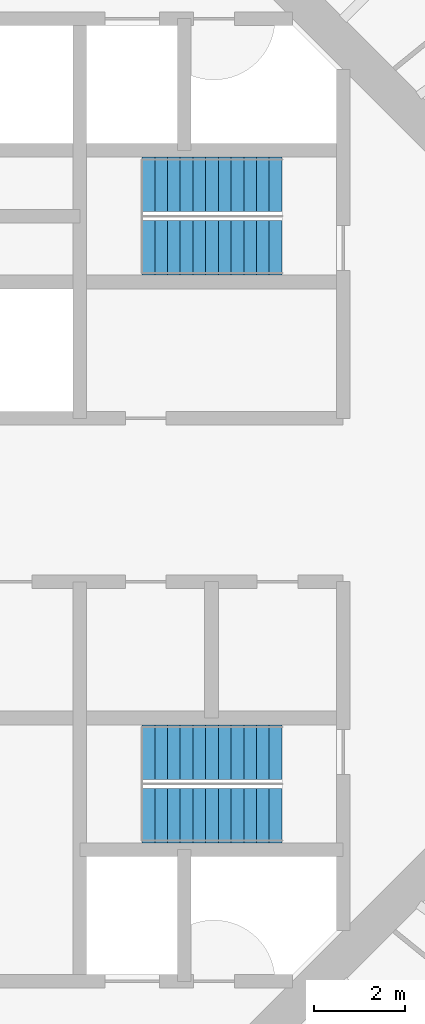
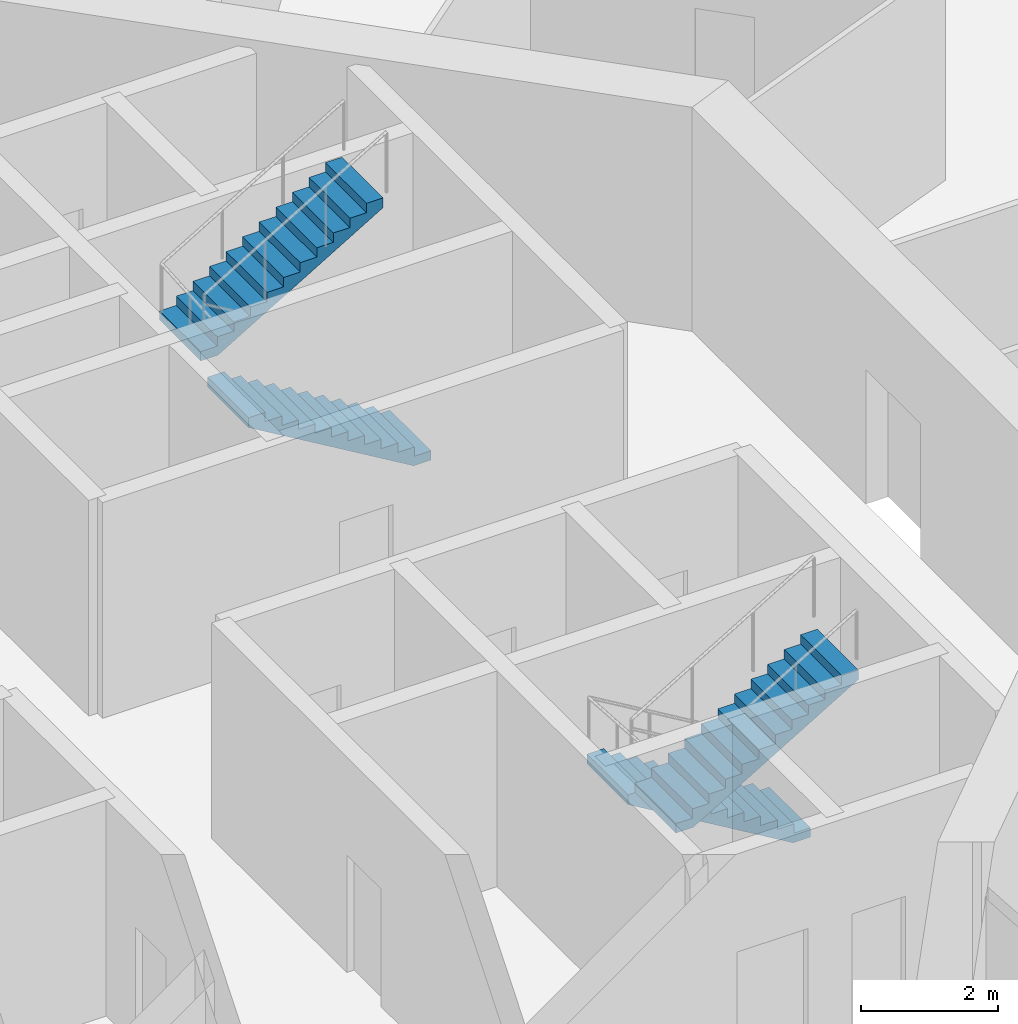
# One storey, part 6 of 13: 4 stair flights, 2 elements without a shape of their own.
"""IFC4 building model written with IfcOpenShell, lengths in metres."""

from ifc_helpers import new_model, si_unit, direction, frame, origin, place, context, subcontext, project, spatial, polyline, outline, extrude, material, type_object, element, aggregate, save


model = new_model("IFC4")

# Units and contexts
model_context = context("Model", 3, precision=1e-05, world=origin(), true_north=direction((0.0, 1.0)))
body_context = subcontext(model_context, "Body", "Model", "MODEL_VIEW")
ifc_project = project(units=[si_unit("LENGTHUNIT", "METRE"), si_unit("AREAUNIT", "SQUARE_METRE"), si_unit("VOLUMEUNIT", "CUBIC_METRE"), si_unit("PLANEANGLEUNIT", "RADIAN"), si_unit("MASSUNIT", "GRAM", prefix="KILO")], contexts=[model_context])

# Site, building, storey
site_placement = place(None, origin())
site = spatial("IfcSite", under=ifc_project, at=site_placement, CompositionType="ELEMENT")
building_placement = place(site_placement, origin())
building = spatial("IfcBuilding", under=site, at=building_placement, Name="Entoto Ring Tower", CompositionType="ELEMENT")
storey_placement = place(building_placement, frame((0.0, 0.0, 274.0)))
storey = spatial("IfcBuildingStorey", under=building, at=storey_placement, Name="L62", CompositionType="ELEMENT", Elevation=274.0)

# Stair, stair flights
ifc_material_1 = material(Name="Concrete C40/50", Category="concrete")
stair_type = type_object("IfcStairType", Name="Exit stair 1200 mm dog-leg reinforced concrete", PredefinedType="HALF_TURN_STAIR", material=ifc_material_1)
stair_1_placement = place(storey_placement, origin())
stair_1 = element("IfcStair", 1, at=stair_1_placement, inside=storey, type_object=stair_type, Name="Exit stair 1", PredefinedType="HALF_TURN_STAIR")
ifc_material_2 = material(Name="Concrete C40/50", Category="concrete")
stair_flight_type = type_object("IfcStairFlightType", Name="Stair flight 1200 mm reinforced concrete", PredefinedType="STRAIGHT", material=ifc_material_2)
stair_flight_1_placement = place(storey_placement, frame((99.25, 85.550048828125, 0.0), z_axis=(0.0, 0.0, 1.0), x_axis=(-1.0, 0.0, 0.0)))
stair_flight_1 = element("IfcStairFlight", 2, at=stair_flight_1_placement, type_object=stair_flight_type, Name="ST1 flight 1", NumberOfRisers=12, NumberOfTreads=11, PredefinedType="STRAIGHT", RiserHeight=0.166666667, TreadLength=0.28, context=body_context, shape_type="SweptSolid", body=[
    extrude(outline(polyline([(0.0, 0.0), (0.0, 0.166748046875), (0.280029296875, 0.166748046875), (0.280029296875, 0.333251953125), (0.56005859375, 0.333251953125), (0.56005859375, 0.5), (0.840087890625, 0.5), (0.840087890625, 0.666748046875), (1.1201171875, 0.666748046875), (1.1201171875, 0.833251953125), (1.39990234375, 0.833251953125), (1.39990234375, 1.0), (1.679931640625, 1.0), (1.679931640625, 1.166748046875), (1.9599609375, 1.166748046875), (1.9599609375, 1.333251953125), (2.239990234375, 1.333251953125), (2.239990234375, 1.5), (2.52001953125, 1.5), (2.52001953125, 1.666748046875), (2.800048828125, 1.666748046875), (2.800048828125, 1.833251953125), (3.080078125, 1.833251953125), (3.080078125, 2.0), (3.080078125, 1.658935546875), (0.29296875, 0.0), (0.0, 0.0)])), frame((0.0, 0.60009765625, 0.0), z_axis=(0.0, -1.0, 0.0), x_axis=(1.0, 0.0, 0.0)), (0.0, 0.0, 1.0), 1.199951171875),
])
stair_flight_2_placement = place(storey_placement, frame((96.169921875, 86.949951171875, 2.0), z_axis=(0.0, 0.0, 1.0), x_axis=(1.0, 0.0, 0.0)))
stair_flight_2 = element("IfcStairFlight", 3, at=stair_flight_2_placement, type_object=stair_flight_type, Name="ST1 flight 2", NumberOfRisers=12, NumberOfTreads=11, PredefinedType="STRAIGHT", RiserHeight=0.166666667, TreadLength=0.28, context=body_context, shape_type="SweptSolid", body=[
    extrude(outline(polyline([(0.0, 0.0), (0.0, 0.166748046875), (0.280029296875, 0.166748046875), (0.280029296875, 0.333251953125), (0.56005859375, 0.333251953125), (0.56005859375, 0.5), (0.840087890625, 0.5), (0.840087890625, 0.666748046875), (1.1201171875, 0.666748046875), (1.1201171875, 0.833251953125), (1.39990234375, 0.833251953125), (1.39990234375, 1.0), (1.679931640625, 1.0), (1.679931640625, 1.166748046875), (1.9599609375, 1.166748046875), (1.9599609375, 1.333251953125), (2.239990234375, 1.333251953125), (2.239990234375, 1.5), (2.52001953125, 1.5), (2.52001953125, 1.666748046875), (2.800048828125, 1.666748046875), (2.800048828125, 1.833251953125), (3.080078125, 1.833251953125), (3.080078125, 2.0), (3.080078125, 1.658935546875), (0.29296875, 0.0), (0.0, 0.0)])), frame((0.0, 0.60009765625, 0.0), z_axis=(0.0, -1.0, 0.0), x_axis=(1.0, 0.0, 0.0)), (0.0, 0.0, 1.0), 1.199951171875),
])
aggregate(stair_1, [stair_flight_1, stair_flight_2])

stair_2_placement = place(storey_placement, origin())
stair_2 = element("IfcStair", 4, at=stair_2_placement, inside=storey, type_object=stair_type, Name="Exit stair 3", PredefinedType="HALF_TURN_STAIR")
stair_flight_3_placement = place(storey_placement, frame((99.25, 74.449951171875, 0.0), z_axis=(0.0, 0.0, 1.0), x_axis=(-1.0, 0.0, 0.0)))
stair_flight_3 = element("IfcStairFlight", 5, at=stair_flight_3_placement, type_object=stair_flight_type, Name="ST3 flight 1", NumberOfRisers=12, NumberOfTreads=11, PredefinedType="STRAIGHT", RiserHeight=0.166666667, TreadLength=0.28, context=body_context, shape_type="SweptSolid", body=[
    extrude(outline(polyline([(0.0, 0.0), (0.0, 0.166748046875), (0.280029296875, 0.166748046875), (0.280029296875, 0.333251953125), (0.56005859375, 0.333251953125), (0.56005859375, 0.5), (0.840087890625, 0.5), (0.840087890625, 0.666748046875), (1.1201171875, 0.666748046875), (1.1201171875, 0.833251953125), (1.39990234375, 0.833251953125), (1.39990234375, 1.0), (1.679931640625, 1.0), (1.679931640625, 1.166748046875), (1.9599609375, 1.166748046875), (1.9599609375, 1.333251953125), (2.239990234375, 1.333251953125), (2.239990234375, 1.5), (2.52001953125, 1.5), (2.52001953125, 1.666748046875), (2.800048828125, 1.666748046875), (2.800048828125, 1.833251953125), (3.080078125, 1.833251953125), (3.080078125, 2.0), (3.080078125, 1.658935546875), (0.29296875, 0.0), (0.0, 0.0)])), frame((0.0, 0.60009765625, 0.0), z_axis=(0.0, -1.0, 0.0), x_axis=(1.0, 0.0, 0.0)), (0.0, 0.0, 1.0), 1.199951171875),
])
stair_flight_4_placement = place(storey_placement, frame((96.169921875, 73.050048828125, 2.0), z_axis=(0.0, 0.0, 1.0), x_axis=(1.0, 0.0, 0.0)))
stair_flight_4 = element("IfcStairFlight", 6, at=stair_flight_4_placement, type_object=stair_flight_type, Name="ST3 flight 2", NumberOfRisers=12, NumberOfTreads=11, PredefinedType="STRAIGHT", RiserHeight=0.166666667, TreadLength=0.28, context=body_context, shape_type="SweptSolid", body=[
    extrude(outline(polyline([(0.0, 0.0), (0.0, 0.166748046875), (0.280029296875, 0.166748046875), (0.280029296875, 0.333251953125), (0.56005859375, 0.333251953125), (0.56005859375, 0.5), (0.840087890625, 0.5), (0.840087890625, 0.666748046875), (1.1201171875, 0.666748046875), (1.1201171875, 0.833251953125), (1.39990234375, 0.833251953125), (1.39990234375, 1.0), (1.679931640625, 1.0), (1.679931640625, 1.166748046875), (1.9599609375, 1.166748046875), (1.9599609375, 1.333251953125), (2.239990234375, 1.333251953125), (2.239990234375, 1.5), (2.52001953125, 1.5), (2.52001953125, 1.666748046875), (2.800048828125, 1.666748046875), (2.800048828125, 1.833251953125), (3.080078125, 1.833251953125), (3.080078125, 2.0), (3.080078125, 1.658935546875), (0.29296875, 0.0), (0.0, 0.0)])), frame((0.0, 0.60009765625, 0.0), z_axis=(0.0, -1.0, 0.0), x_axis=(1.0, 0.0, 0.0)), (0.0, 0.0, 1.0), 1.199951171875),
])
aggregate(stair_2, [stair_flight_3, stair_flight_4])

save(model, "model.ifc")
